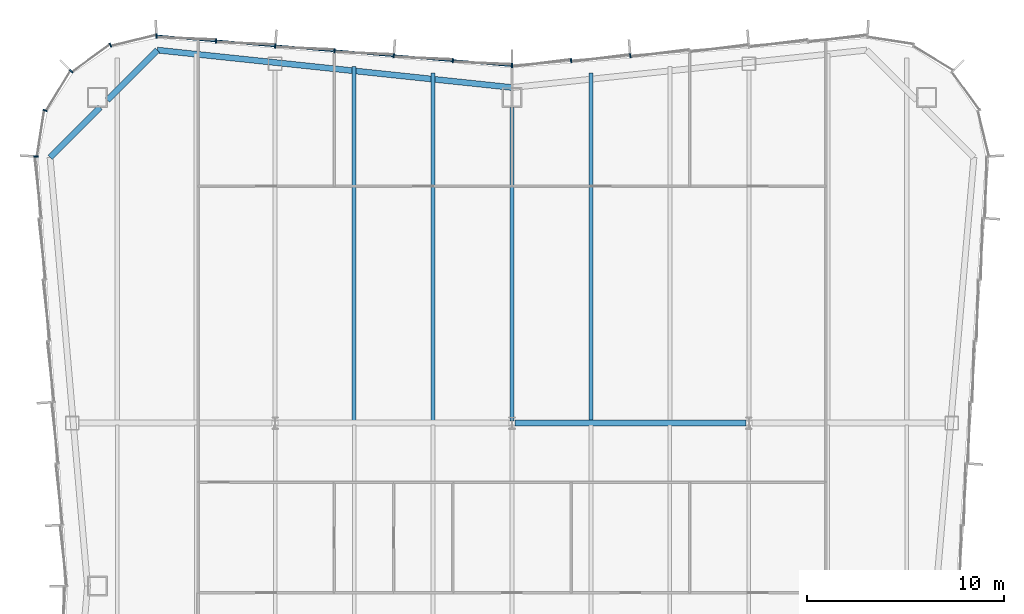
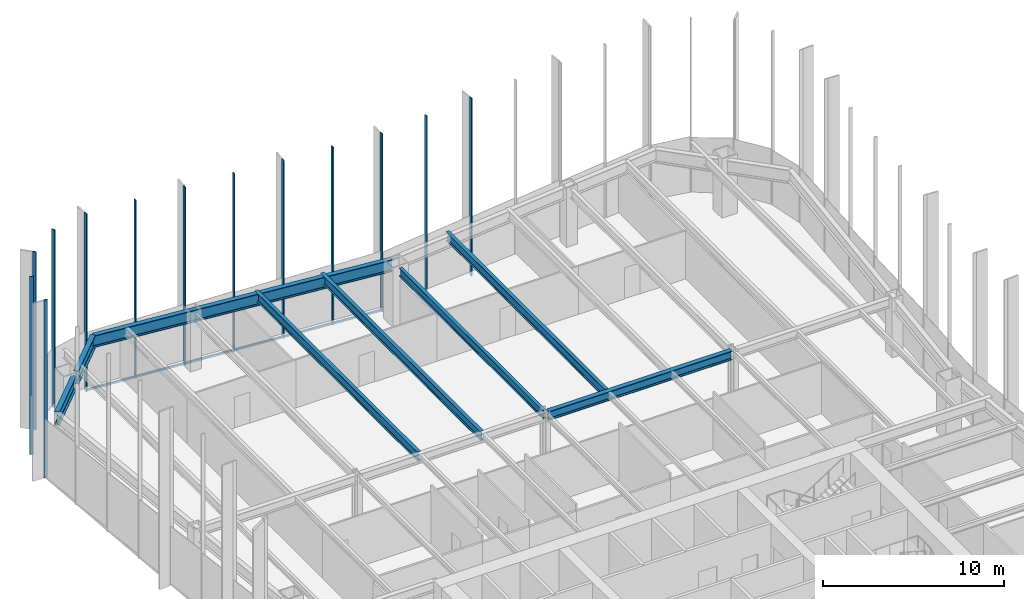
# One storey, part 6 of 13: 14 members, 8 beams, 3 elements without a shape of their own.
"""IFC4 building model written with IfcOpenShell, lengths in metres."""

from ifc_helpers import new_model, si_unit, direction, frame, origin, origin_2d, place, context, subcontext, project, spatial, rectangle, i_section, extrude, material, material_profile, profile_set, type_object, element, aggregate, save


model = new_model("IFC4")

# Units and contexts
model_context = context("Model", 3, precision=1e-05, world=origin(), true_north=direction((0.0, 1.0)))
body_context = subcontext(model_context, "Body", "Model", "MODEL_VIEW")
ifc_project = project(units=[si_unit("LENGTHUNIT", "METRE"), si_unit("AREAUNIT", "SQUARE_METRE"), si_unit("VOLUMEUNIT", "CUBIC_METRE"), si_unit("PLANEANGLEUNIT", "RADIAN"), si_unit("MASSUNIT", "GRAM", prefix="KILO")], contexts=[model_context])

# Site, building, storey
site_placement = place(None, origin())
site = spatial("IfcSite", under=ifc_project, at=site_placement, CompositionType="ELEMENT")
building_placement = place(site_placement, origin())
building = spatial("IfcBuilding", under=site, at=building_placement, Name="Verdant Reach Tower", CompositionType="ELEMENT")
storey_placement = place(building_placement, frame((0.0, 0.0, 194.0)))
storey = spatial("IfcBuildingStorey", under=building, at=storey_placement, Name="L44", CompositionType="ELEMENT", Elevation=194.0)

# Curtain wall, members
ifc_material_1 = material(Name="Anodised aluminium", Category="aluminium")
curtain_wall_type = type_object("IfcCurtainWallType", Name="EN-CW SYSTEM Z3", PredefinedType="NOTDEFINED", material=ifc_material_1)
curtain_wall_1_placement = place(storey_placement, origin())
curtain_wall_1 = element("IfcCurtainWall", 1, at=curtain_wall_1_placement, inside=storey, type_object=curtain_wall_type, Name="Curtain wall north, L44", PredefinedType="NOTDEFINED")
ifc_material_profile_1 = material_profile(ifc_material_1, rectangle(XDim=0.218017578125, YDim=0.06591796875, at=origin_2d()), Name="Mullion 66x218")
ifc_profile_set_1 = profile_set([ifc_material_profile_1], Name="Anodised aluminium")
member_type_1 = type_object("IfcMemberType", Name="EN-MULLION Z3", PredefinedType="MULLION", material=ifc_profile_set_1)
member_1_placement = place(storey_placement, frame((5.990966796875, 68.108642578125, -0.35009765625), z_axis=(0.0, 0.0, 1.0), x_axis=(-0.083045479859, 0.996545758244, 0.0)))
member_1 = element("IfcMember", 2, at=member_1_placement, type_object=member_type_1, Name="Mullion north face part 1 5, L44", PredefinedType="MULLION", context=body_context, shape_type="SweptSolid", body=[
    extrude(rectangle(XDim=0.218017578125, YDim=0.06591796875, at=origin_2d()), origin(), (0.0, 0.0, 1.0), 12.0),
])
member_2_placement = place(storey_placement, frame((2.990966796875, 67.858642578125, -0.35009765625), z_axis=(0.0, 0.0, 1.0), x_axis=(-0.083045479859, 0.996545758244, 0.0)))
member_2 = element("IfcMember", 3, at=member_2_placement, type_object=member_type_1, Name="Mullion north face part 1 6, L44", PredefinedType="MULLION", context=body_context, shape_type="SweptSolid", body=[
    extrude(rectangle(XDim=0.218017578125, YDim=0.06591796875, at=origin_2d()), origin(), (0.0, 0.0, 1.0), 12.0),
])
member_3_placement = place(storey_placement, frame((0.0, 67.60888671875, -0.35009765625), z_axis=(0.0, 0.0, 1.0), x_axis=(0.0, 1.0, 0.0)))
member_3 = element("IfcMember", 4, at=member_3_placement, type_object=member_type_1, Name="Mullion north face part 2 1, L44", PredefinedType="MULLION", context=body_context, shape_type="SweptSolid", body=[
    extrude(rectangle(XDim=0.218017578125, YDim=0.06591796875, at=origin_2d()), origin(), (0.0, 0.0, 1.0), 12.0),
])
member_4_placement = place(storey_placement, frame((-2.990966796875, 67.858642578125, -0.35009765625), z_axis=(0.0, 0.0, 1.0), x_axis=(0.083045479859, 0.996545758244, 0.0)))
member_4 = element("IfcMember", 5, at=member_4_placement, type_object=member_type_1, Name="Mullion north face part 2 2, L44", PredefinedType="MULLION", context=body_context, shape_type="SweptSolid", body=[
    extrude(rectangle(XDim=0.218017578125, YDim=0.06591796875, at=origin_2d()), origin(), (0.0, 0.0, 1.0), 12.0),
])
member_5_placement = place(storey_placement, frame((-5.990966796875, 68.108642578125, -0.35009765625), z_axis=(0.0, 0.0, 1.0), x_axis=(0.083045479859, 0.996545758244, 0.0)))
member_5 = element("IfcMember", 6, at=member_5_placement, type_object=member_type_1, Name="Mullion north face part 2 3, L44", PredefinedType="MULLION", context=body_context, shape_type="SweptSolid", body=[
    extrude(rectangle(XDim=0.218017578125, YDim=0.06591796875, at=origin_2d()), origin(), (0.0, 0.0, 1.0), 12.0),
])
member_6_placement = place(storey_placement, frame((-8.990966796875, 68.358642578125, -0.35009765625), z_axis=(0.0, 0.0, 1.0), x_axis=(0.083045479859, 0.996545758244, 0.0)))
member_6 = element("IfcMember", 7, at=member_6_placement, type_object=member_type_1, Name="Mullion north face part 2 4, L44", PredefinedType="MULLION", context=body_context, shape_type="SweptSolid", body=[
    extrude(rectangle(XDim=0.218017578125, YDim=0.06591796875, at=origin_2d()), origin(), (0.0, 0.0, 1.0), 12.0),
])
member_7_placement = place(storey_placement, frame((-11.990966796875, 68.608642578125, -0.35009765625), z_axis=(0.0, 0.0, 1.0), x_axis=(0.083045479859, 0.996545758244, 0.0)))
member_7 = element("IfcMember", 8, at=member_7_placement, type_object=member_type_1, Name="Mullion north face part 2 5, L44", PredefinedType="MULLION", context=body_context, shape_type="SweptSolid", body=[
    extrude(rectangle(XDim=0.218017578125, YDim=0.06591796875, at=origin_2d()), origin(), (0.0, 0.0, 1.0), 12.0),
])
member_8_placement = place(storey_placement, frame((-14.990966796875, 68.858642578125, -0.35009765625), z_axis=(0.0, 0.0, 1.0), x_axis=(0.083045479859, 0.996545758244, 0.0)))
member_8 = element("IfcMember", 9, at=member_8_placement, type_object=member_type_1, Name="Mullion north face part 2 6, L44", PredefinedType="MULLION", context=body_context, shape_type="SweptSolid", body=[
    extrude(rectangle(XDim=0.218017578125, YDim=0.06591796875, at=origin_2d()), origin(), (0.0, 0.0, 1.0), 12.0),
])

curtain_wall_2_placement = place(storey_placement, origin())
curtain_wall_2 = element("IfcCurtainWall", 10, at=curtain_wall_2_placement, inside=storey, type_object=curtain_wall_type, Name="Curtain wall north-west corner, L44", PredefinedType="NOTDEFINED")
member_9_placement = place(storey_placement, frame((-18.006103515625, 69.10888671875, -0.35009765625), z_axis=(0.0, 0.0, 1.0), x_axis=(-0.056569187765, 0.998398681387, 0.0)))
member_9 = element("IfcMember", 11, at=member_9_placement, type_object=member_type_1, Name="Mullion north-west corner 1, L44", PredefinedType="MULLION", context=body_context, shape_type="SweptSolid", body=[
    extrude(rectangle(XDim=0.218017578125, YDim=0.06591796875, at=origin_2d()), origin(), (0.0, 0.0, 1.0), 12.0),
])
member_10_placement = place(storey_placement, frame((-20.337890625, 68.64404296875, -0.35009765625), z_axis=(0.0, 0.0, 1.0), x_axis=(-0.382693853776, 0.923875215753, 0.0)))
member_10 = element("IfcMember", 12, at=member_10_placement, type_object=member_type_1, Name="Mullion north-west corner 2, L44", PredefinedType="MULLION", context=body_context, shape_type="SweptSolid", body=[
    extrude(rectangle(XDim=0.218017578125, YDim=0.06591796875, at=origin_2d()), origin(), (0.0, 0.0, 1.0), 12.0),
])
member_11_placement = place(storey_placement, frame((-22.319580078125, 67.319580078125, -0.35009765625), z_axis=(0.0, 0.0, 1.0), x_axis=(-0.707106781187, 0.707106781187, 0.0)))
member_11 = element("IfcMember", 13, at=member_11_placement, type_object=member_type_1, Name="Mullion north-west corner 3, L44", PredefinedType="MULLION", context=body_context, shape_type="SweptSolid", body=[
    extrude(rectangle(XDim=0.218017578125, YDim=0.06591796875, at=origin_2d()), origin(), (0.0, 0.0, 1.0), 12.0),
])
member_12_placement = place(storey_placement, frame((-23.64404296875, 65.337890625, -0.35009765625), z_axis=(0.0, 0.0, 1.0), x_axis=(-0.923875215753, 0.382693853776, 0.0)))
member_12 = element("IfcMember", 14, at=member_12_placement, type_object=member_type_1, Name="Mullion north-west corner 4, L44", PredefinedType="MULLION", context=body_context, shape_type="SweptSolid", body=[
    extrude(rectangle(XDim=0.218017578125, YDim=0.06591796875, at=origin_2d()), origin(), (0.0, 0.0, 1.0), 12.0),
])
aggregate(curtain_wall_2, [member_9, member_10, member_11, member_12])

# Curtain wall, member
curtain_wall_3_placement = place(storey_placement, origin())
curtain_wall_3 = element("IfcCurtainWall", 15, at=curtain_wall_3_placement, inside=storey, type_object=curtain_wall_type, Name="Curtain wall west, L44", PredefinedType="NOTDEFINED")
member_13_placement = place(storey_placement, frame((-24.10888671875, 63.0068359375, -0.35009765625), z_axis=(0.0, 0.0, 1.0), x_axis=(-0.997969180898, 0.063698618332, 0.0)))
member_13 = element("IfcMember", 16, at=member_13_placement, type_object=member_type_1, Name="Mullion west face part 1 1, L44", PredefinedType="MULLION", context=body_context, shape_type="SweptSolid", body=[
    extrude(rectangle(XDim=0.218017578125, YDim=0.06591796875, at=origin_2d()), origin(), (0.0, 0.0, 1.0), 12.0),
])
aggregate(curtain_wall_3, [member_13])

# Member
ifc_material_profile_2 = material_profile(ifc_material_1, rectangle(XDim=0.10009765625, YDim=0.1259765625, at=origin_2d()), Name="Transom 126x100")
ifc_profile_set_2 = profile_set([ifc_material_profile_2], Name="Anodised aluminium")
member_type_2 = type_object("IfcMemberType", Name="EN-TRANSOM Z3", PredefinedType="USERDEFINED", material=ifc_profile_set_2)
member_14_placement = place(storey_placement, frame((-0.032958984375, 67.61181640625, -0.287109375), z_axis=(-0.996548750467, 0.083009565369, 0.0), x_axis=(-0.083009565369, -0.996548750467, 0.0)))
member_14 = element("IfcMember", 17, at=member_14_placement, type_object=member_type_2, Name="Transom north face part 2 1.1, L44", ObjectType="TRANSOM", PredefinedType="USERDEFINED", context=body_context, shape_type="SweptSolid", body=[
    extrude(rectangle(XDim=0.10009765625, YDim=0.1259765625, at=origin_2d()), origin(), (0.0, 0.0, 1.0), 18.00244140625),
])

aggregate(curtain_wall_1, [member_1, member_2, member_3, member_4, member_5, member_6, member_7, member_8, member_14])

# Beams
ifc_material_2 = material(Name="Steel S355", Category="steel")
ifc_material_profile_3 = material_profile(ifc_material_2, i_section(OverallWidth=0.300048828125, OverallDepth=0.60009765625, WebThickness=0.015380859375, FlangeThickness=0.030029296875, FilletRadius=0.027099609375, at=origin_2d()), Name="HEB 600")
ifc_profile_set_3 = profile_set([ifc_material_profile_3], Name="Steel S355")
beam_type_1 = type_object("IfcBeamType", Name="ST-BEAM-HEB600", PredefinedType="BEAM", material=ifc_profile_set_3)
beam_1_placement = place(storey_placement, frame((0.152587890625, 49.5, 3.570068359375), z_axis=(1.0, 0.0, 0.0), x_axis=(0.0, 1.0, 0.0)))
element("IfcBeam", 18, at=beam_1_placement, inside=storey, type_object=beam_type_1, Name="Row girder, L44", PredefinedType="BEAM", context=body_context, shape_type="SweptSolid", body=[
    extrude(i_section(OverallWidth=0.300048828125, OverallDepth=0.60009765625, WebThickness=0.015380859375, FlangeThickness=0.030029296875, FilletRadius=0.027099609375, at=origin_2d()), origin(), (0.0, 0.0, 1.0), 11.69482421875),
])
ifc_material_profile_4 = material_profile(ifc_material_2, i_section(OverallWidth=0.2099609375, OverallDepth=0.550048828125, WebThickness=0.010986328125, FlangeThickness=0.01708984375, FilletRadius=0.02392578125, at=origin_2d()), Name="IPE 550")
ifc_profile_set_4 = profile_set([ifc_material_profile_4], Name="Steel S355")
beam_type_2 = type_object("IfcBeamType", Name="ST-JOIST-IPE550", PredefinedType="JOIST", material=ifc_profile_set_4)
beam_2_placement = place(storey_placement, frame((0.0, 49.60009765625, 3.594970703125), z_axis=(0.0, 1.0, 0.0), x_axis=(-1.0, 0.0, 0.0)))
element("IfcBeam", 19, at=beam_2_placement, inside=storey, type_object=beam_type_2, Name="Floor joist, L44", PredefinedType="JOIST", context=body_context, shape_type="SweptSolid", body=[
    extrude(i_section(OverallWidth=0.2099609375, OverallDepth=0.550048828125, WebThickness=0.010986328125, FlangeThickness=0.01708984375, FilletRadius=0.02392578125, at=origin_2d()), origin(), (0.0, 0.0, 1.0), 15.89990234375),
])
ifc_material_profile_5 = material_profile(ifc_material_2, i_section(OverallWidth=0.219970703125, OverallDepth=0.60009765625, WebThickness=0.011962890625, FlangeThickness=0.01904296875, FilletRadius=0.02392578125, at=origin_2d()), Name="IPE 600")
ifc_profile_set_5 = profile_set([ifc_material_profile_5], Name="Steel S355")
beam_type_3 = type_object("IfcBeamType", Name="ST-JOIST-IPE600", PredefinedType="JOIST", material=ifc_profile_set_5)
beam_3_placement = place(storey_placement, frame((-8.0, 49.60009765625, 3.570068359375), z_axis=(0.0, 1.0, 0.0), x_axis=(-1.0, 0.0, 0.0)))
element("IfcBeam", 20, at=beam_3_placement, inside=storey, type_object=beam_type_3, Name="Floor joist, L44", PredefinedType="JOIST", context=body_context, shape_type="SweptSolid", body=[
    extrude(i_section(OverallWidth=0.219970703125, OverallDepth=0.60009765625, WebThickness=0.011962890625, FlangeThickness=0.01904296875, FilletRadius=0.02392578125, at=origin_2d()), origin(), (0.0, 0.0, 1.0), 17.964599609375),
])
for number, where, z_axis, x_axis, name in (
    (21, (-4.0, 49.60009765625, 3.570068359375), (0.0, 1.0, 0.0), (-1.0, 0.0, 0.0), "Floor joist, L44"),
    (22, (4.0, 49.60009765625, 3.570068359375), (0.0, 1.0, 0.0), (-1.0, 0.0, 0.0), "Floor joist, L44"),
):
    element("IfcBeam", number, at=place(storey_placement, frame(where, z_axis=z_axis, x_axis=x_axis)), inside=storey, type_object=beam_type_3, Name=name, PredefinedType="JOIST", context=body_context, shape_type="SweptSolid", body=[
        extrude(i_section(OverallWidth=0.219970703125, OverallDepth=0.60009765625, WebThickness=0.011962890625, FlangeThickness=0.01904296875, FilletRadius=0.02392578125, at=origin_2d()), origin(), (0.0, 0.0, 1.0), 17.631103515625),
    ])
ifc_material_profile_6 = material_profile(ifc_material_2, i_section(OverallWidth=0.300048828125, OverallDepth=0.800048828125, WebThickness=0.017578125, FlangeThickness=0.032958984375, FilletRadius=0.030029296875, at=origin_2d()), Name="HEB 800")
ifc_profile_set_6 = profile_set([ifc_material_profile_6], Name="Steel S355")
beam_type_4 = type_object("IfcBeamType", Name="ST-SPANDREL-HEB800", PredefinedType="SPANDREL", material=ifc_profile_set_6)
beam_4_placement = place(storey_placement, frame((-17.9658203125, 68.39501953125, 3.469970703125), z_axis=(0.994483067002, -0.104897232783, 0.0), x_axis=(0.104897232783, 0.994483067002, 0.0)))
element("IfcBeam", 23, at=beam_4_placement, inside=storey, type_object=beam_type_4, Name="Edge beam, L44", PredefinedType="SPANDREL", context=body_context, shape_type="SweptSolid", body=[
    extrude(i_section(OverallWidth=0.300048828125, OverallDepth=0.800048828125, WebThickness=0.017578125, FlangeThickness=0.032958984375, FilletRadius=0.030029296875, at=origin_2d()), origin(), (0.0, 0.0, 1.0), 18.0654296875),
])
ifc_material_profile_7 = material_profile(ifc_material_2, i_section(OverallWidth=0.302001953125, OverallDepth=0.909912109375, WebThickness=0.02099609375, FlangeThickness=0.0400390625, FilletRadius=0.030029296875, at=origin_2d()), Name="HEM 900")
ifc_profile_set_7 = profile_set([ifc_material_profile_7], Name="Steel S355")
beam_type_5 = type_object("IfcBeamType", Name="ST-SPANDREL-HEM900", PredefinedType="SPANDREL", material=ifc_profile_set_7)
beam_5_placement = place(storey_placement, frame((-23.39599609375, 62.96142578125, 3.4150390625), z_axis=(0.706902680526, 0.707310822952, 0.0), x_axis=(-0.707310822952, 0.706902680526, 0.0)))
element("IfcBeam", 24, at=beam_5_placement, inside=storey, type_object=beam_type_5, Name="Edge beam, L44", PredefinedType="SPANDREL", context=body_context, shape_type="SweptSolid", body=[
    extrude(i_section(OverallWidth=0.302001953125, OverallDepth=0.909912109375, WebThickness=0.02099609375, FlangeThickness=0.0400390625, FilletRadius=0.030029296875, at=origin_2d()), origin(), (0.0, 0.0, 1.0), 3.589111328125),
])
beam_6_placement = place(storey_placement, frame((-20.5, 65.859130859375, 3.4150390625), z_axis=(0.706868394255, 0.707345087777, 0.0), x_axis=(-0.707345087777, 0.706868394255, 0.0)))
element("IfcBeam", 25, at=beam_6_placement, inside=storey, type_object=beam_type_5, Name="Edge beam, L44", PredefinedType="SPANDREL", context=body_context, shape_type="SweptSolid", body=[
    extrude(i_section(OverallWidth=0.302001953125, OverallDepth=0.909912109375, WebThickness=0.02099609375, FlangeThickness=0.0400390625, FilletRadius=0.030029296875, at=origin_2d()), origin(), (0.0, 0.0, 1.0), 3.5849609375),
])

save(model, "model.ifc")
